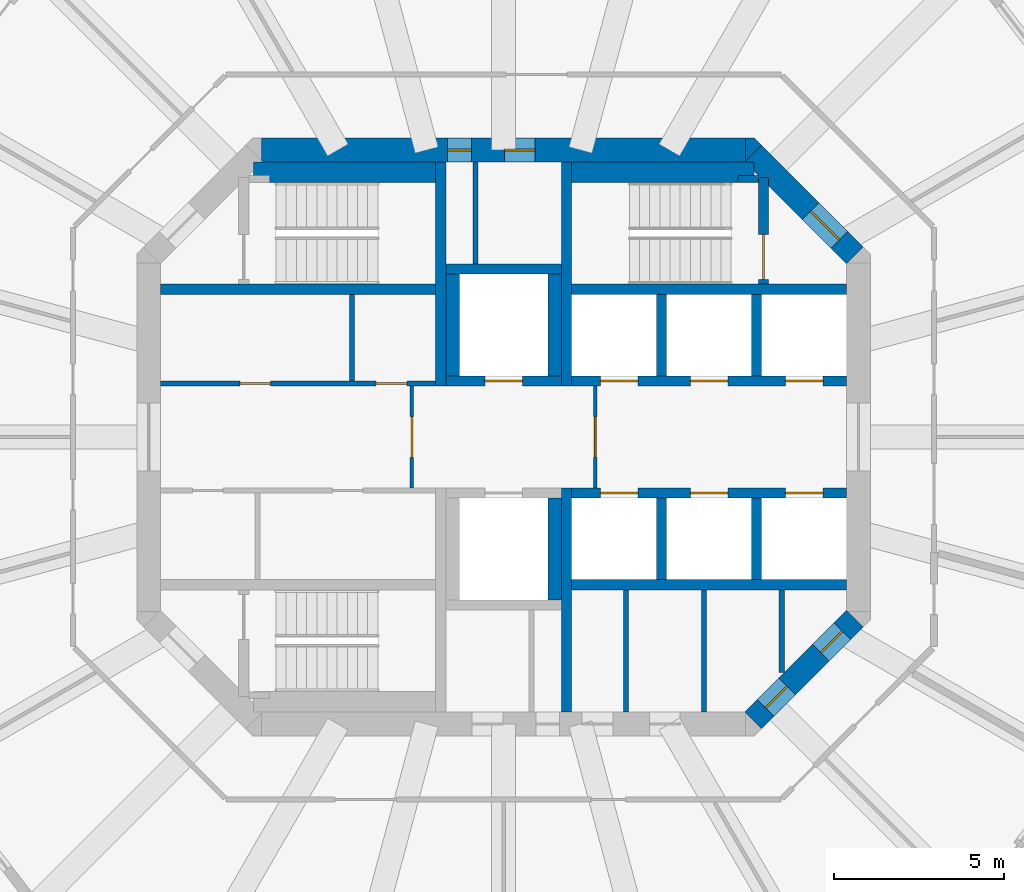
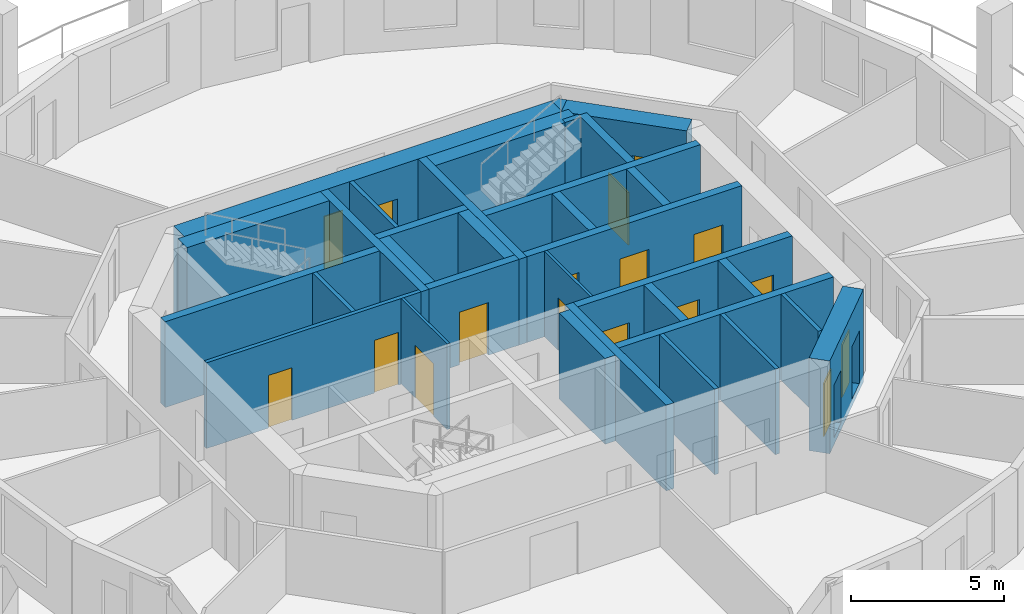
# One storey, part 4 of 8: 33 walls, 17 doors, 17 openings.
"""IFC4 building model written with IfcOpenShell, lengths in metres."""

from ifc_helpers import new_model, si_unit, direction, frame, frame_2d, origin, place, context, subcontext, project, spatial, polyline, rectangle, outline, extrude, material, layer, layer_set, type_object, element, fill, save


model = new_model("IFC4")

# Units and contexts
model_context = context("Model", 3, precision=1e-05, world=origin(), true_north=direction((0.0, 1.0)))
body_context = subcontext(model_context, "Body", "Model", "MODEL_VIEW")
ifc_project = project(units=[si_unit("LENGTHUNIT", "METRE"), si_unit("AREAUNIT", "SQUARE_METRE"), si_unit("VOLUMEUNIT", "CUBIC_METRE"), si_unit("PLANEANGLEUNIT", "RADIAN"), si_unit("MASSUNIT", "GRAM", prefix="KILO")], contexts=[model_context])

# Site, building, storey
site_placement = place(None, origin())
site = spatial("IfcSite", under=ifc_project, at=site_placement, CompositionType="ELEMENT")
building_placement = place(site_placement, origin())
building = spatial("IfcBuilding", under=site, at=building_placement, Name="Torre Triforio", CompositionType="ELEMENT")
storey_placement = place(building_placement, frame((0.0, 0.0, 196.5)))
storey = spatial("IfcBuildingStorey", under=building, at=storey_placement, Name="L44", CompositionType="ELEMENT", Elevation=196.5)

# Walls
ifc_material_1 = material(Name="Concrete C50", Category="concrete")
ifc_layer_1 = layer(ifc_material_1, 0.300048828125)
ifc_layer_set_1 = layer_set([ifc_layer_1], Name="Concrete C50")
wall_type_1 = type_object("IfcWallType", Name="Core wall 300 mm C50 EI 120", PredefinedType="SHEAR", material=ifc_layer_set_1)
for number, where, z_axis, x_axis, name in (
    (1, (-1.85009765625, 1.5, 0.0), (0.0, 0.0, 1.0), (0.0, 1.0, 0.0), "Core wall"),
    (2, (1.85009765625, 1.5, 0.0), (0.0, 0.0, 1.0), (0.0, 1.0, 0.0), "Core wall"),
    (3, (1.85009765625, -8.10009765625, 0.0), (0.0, 0.0, 1.0), (0.0, 1.0, 0.0), "Core wall"),
):
    element("IfcWall", number, at=place(storey_placement, frame(where, z_axis=z_axis, x_axis=x_axis)), inside=storey, type_object=wall_type_1, Name=name, PredefinedType="SHEAR", context=body_context, shape_type="SweptSolid", body=[
        extrude(rectangle(XDim=6.60009765625, YDim=0.300048828125, at=frame_2d((3.300048828125, 0.0))), origin(), (0.0, 0.0, 1.0), 3.419921875),
    ])

# Wall, openings, doors
ifc_layer_2 = layer(ifc_material_1, 0.699951171875)
ifc_layer_set_2 = layer_set([ifc_layer_2], Name="Concrete C50")
wall_type_2 = type_object("IfcWallType", Name="Core wall 700 mm C50 EI 120", PredefinedType="SHEAR", material=ifc_layer_set_2)
wall_1_placement = place(storey_placement, frame((-7.1298828125, 8.449951171875, -0.280029296875), z_axis=(0.0, 0.0, 1.0), x_axis=(1.0, 0.0, 0.0)))
wall_1 = element("IfcWall", 4, at=wall_1_placement, inside=storey, type_object=wall_type_2, Name="Core wall", PredefinedType="SHEAR", context=body_context, shape_type="SweptSolid", body=[
    extrude(rectangle(XDim=14.259765625, YDim=0.699951171875, at=frame_2d((7.1298828125, 0.0))), origin(), (0.0, 0.0, 1.0), 3.699951171875),
])
opening_1_placement = place(wall_1_placement, frame((5.47998046875, 0.0, 0.280029296875)))
opening_1 = element("IfcOpeningElement", 5, at=opening_1_placement, cuts=wall_1, Name="Opening RISER-N", PredefinedType="OPENING", context=body_context, shape_type="SweptSolid", body=[
    extrude(rectangle(XDim=0.699951171875, YDim=2.10009765625, at=frame_2d((0.35009765625, 1.050048828125))), frame((0.0, 0.35986328125, 0.0), z_axis=(0.0, -1.0, 0.0), x_axis=(1.0, 0.0, 0.0)), (0.0, 0.0, 1.0), 0.719970703125),
])
opening_2_placement = place(wall_1_placement, frame((7.155029296875, 0.0, 0.280029296875)))
opening_2 = element("IfcOpeningElement", 6, at=opening_2_placement, cuts=wall_1, Name="Opening NE-01", PredefinedType="OPENING", context=body_context, shape_type="SweptSolid", body=[
    extrude(rectangle(XDim=0.89990234375, YDim=2.10009765625, at=frame_2d((0.449951171875, 1.050048828125))), frame((0.0, 0.35986328125, 0.0), z_axis=(0.0, -1.0, 0.0), x_axis=(1.0, 0.0, 0.0)), (0.0, 0.0, 1.0), 0.719970703125),
])
ifc_material_2 = material(Name="Hollow metal fire door leaf")
door_type_1 = type_object("IfcDoorType", Name="Riser door 700 x 2100 EI 60", OperationType="NOTDEFINED", PredefinedType="DOOR", material=ifc_material_2)
door_1_placement = place(opening_1_placement, origin())
door_1 = element("IfcDoor", 7, at=door_1_placement, inside=storey, type_object=door_type_1, Name="Core door RISER-N", OperationType="SINGLE_SWING_LEFT", OverallHeight=2.10009765625, OverallWidth=0.699951171875, PredefinedType="DOOR", context=body_context, shape_type="SweptSolid", body=[
    extrude(rectangle(XDim=0.699951171875, YDim=2.10009765625, at=frame_2d((0.35009765625, 1.050048828125))), frame((0.0, 0.02490234375, 0.0), z_axis=(0.0, -1.0, 0.0), x_axis=(1.0, 0.0, 0.0)), (0.0, 0.0, 1.0), 0.050048828125),
])
fill(opening_1, door_1)
door_type_2 = type_object("IfcDoorType", Name="Room door 900 x 2100 EI 60", OperationType="NOTDEFINED", PredefinedType="DOOR", material=ifc_material_2)
door_2_placement = place(opening_2_placement, origin())
door_2 = element("IfcDoor", 8, at=door_2_placement, inside=storey, type_object=door_type_2, Name="Core door NE-01", OperationType="SINGLE_SWING_RIGHT", OverallHeight=2.10009765625, OverallWidth=0.89990234375, PredefinedType="DOOR", context=body_context, shape_type="SweptSolid", body=[
    extrude(rectangle(XDim=0.89990234375, YDim=2.10009765625, at=frame_2d((0.449951171875, 1.050048828125))), frame((0.0, 0.02490234375, 0.0), z_axis=(0.0, -1.0, 0.0), x_axis=(1.0, 0.0, 0.0)), (0.0, 0.0, 1.0), 0.050048828125),
])
fill(opening_2, door_2)

# Wall, opening, door
wall_2_placement = place(storey_placement, frame((7.347412109375, 8.347412109375, -0.280029296875), z_axis=(0.0, 0.0, 1.0), x_axis=(0.707106781187, -0.707106781187, 0.0)))
wall_2 = element("IfcWall", 9, at=wall_2_placement, inside=storey, type_object=wall_type_2, Name="Core wall", PredefinedType="SHEAR", context=body_context, shape_type="SweptSolid", body=[
    extrude(rectangle(XDim=4.24267578125, YDim=0.699951171875, at=frame_2d((2.121337890625, 0.0))), origin(), (0.0, 0.0, 1.0), 3.699951171875),
])
opening_3_placement = place(wall_2_placement, frame((2.392578125, 0.0, 0.280029296875)))
opening_3 = element("IfcOpeningElement", 10, at=opening_3_placement, cuts=wall_2, Name="Opening ST2-EXIT", PredefinedType="OPENING", context=body_context, shape_type="SweptSolid", body=[
    extrude(rectangle(XDim=1.199951171875, YDim=2.10009765625, at=frame_2d((0.60009765625, 1.050048828125))), frame((0.0, 0.35986328125, 0.0), z_axis=(0.0, -1.0, 0.0), x_axis=(1.0, 0.0, 0.0)), (0.0, 0.0, 1.0), 0.719970703125),
])
door_type_3 = type_object("IfcDoorType", Name="Stair lobby door 1200 x 2100 EI 60", OperationType="NOTDEFINED", PredefinedType="DOOR", material=ifc_material_2)
door_3_placement = place(opening_3_placement, origin())
door_3 = element("IfcDoor", 11, at=door_3_placement, inside=storey, type_object=door_type_3, Name="Core door ST2-EXIT", OperationType="SINGLE_SWING_RIGHT", OverallHeight=2.10009765625, OverallWidth=1.199951171875, PredefinedType="DOOR", context=body_context, shape_type="SweptSolid", body=[
    extrude(rectangle(XDim=1.199951171875, YDim=2.10009765625, at=frame_2d((0.60009765625, 1.050048828125))), frame((0.0, 0.02490234375, 0.0), z_axis=(0.0, -1.0, 0.0), x_axis=(1.0, 0.0, 0.0)), (0.0, 0.0, 1.0), 0.050048828125),
])
fill(opening_3, door_3)

# Wall, openings, doors
wall_3_placement = place(storey_placement, frame((10.347412109375, -5.347412109375, -0.280029296875), z_axis=(0.0, 0.0, 1.0), x_axis=(-0.707106781187, -0.707106781187, 0.0)))
wall_3 = element("IfcWall", 12, at=wall_3_placement, inside=storey, type_object=wall_type_2, Name="Core wall", PredefinedType="SHEAR", context=body_context, shape_type="SweptSolid", body=[
    extrude(rectangle(XDim=4.24267578125, YDim=0.699951171875, at=frame_2d((2.121337890625, 0.0))), origin(), (0.0, 0.0, 1.0), 3.699951171875),
])
opening_4_placement = place(wall_3_placement, frame((2.82275390625, 0.0, 0.280029296875)))
opening_4 = element("IfcOpeningElement", 13, at=opening_4_placement, cuts=wall_3, Name="Opening SE-03", PredefinedType="OPENING", context=body_context, shape_type="SweptSolid", body=[
    extrude(rectangle(XDim=0.89990234375, YDim=2.10009765625, at=frame_2d((0.449951171875, 1.050048828125))), frame((0.0, 0.35986328125, 0.0), z_axis=(0.0, -1.0, 0.0), x_axis=(1.0, 0.0, 0.0)), (0.0, 0.0, 1.0), 0.719970703125),
])
opening_5_placement = place(wall_3_placement, frame((0.52001953125, 0.0, 0.280029296875)))
opening_5 = element("IfcOpeningElement", 14, at=opening_5_placement, cuts=wall_3, Name="Opening SE-04", PredefinedType="OPENING", context=body_context, shape_type="SweptSolid", body=[
    extrude(rectangle(XDim=0.89990234375, YDim=2.10009765625, at=frame_2d((0.449951171875, 1.050048828125))), frame((0.0, 0.35986328125, 0.0), z_axis=(0.0, -1.0, 0.0), x_axis=(1.0, 0.0, 0.0)), (0.0, 0.0, 1.0), 0.719970703125),
])
door_4_placement = place(opening_4_placement, origin())
door_4 = element("IfcDoor", 15, at=door_4_placement, inside=storey, type_object=door_type_2, Name="Core door SE-03", OperationType="SINGLE_SWING_RIGHT", OverallHeight=2.10009765625, OverallWidth=0.89990234375, PredefinedType="DOOR", context=body_context, shape_type="SweptSolid", body=[
    extrude(rectangle(XDim=0.89990234375, YDim=2.10009765625, at=frame_2d((0.449951171875, 1.050048828125))), frame((0.0, 0.02490234375, 0.0), z_axis=(0.0, -1.0, 0.0), x_axis=(1.0, 0.0, 0.0)), (0.0, 0.0, 1.0), 0.050048828125),
])
fill(opening_4, door_4)
door_5_placement = place(opening_5_placement, origin())
door_5 = element("IfcDoor", 16, at=door_5_placement, inside=storey, type_object=door_type_2, Name="Core door SE-04", OperationType="SINGLE_SWING_LEFT", OverallHeight=2.10009765625, OverallWidth=0.89990234375, PredefinedType="DOOR", context=body_context, shape_type="SweptSolid", body=[
    extrude(rectangle(XDim=0.89990234375, YDim=2.10009765625, at=frame_2d((0.449951171875, 1.050048828125))), frame((0.0, 0.02490234375, 0.0), z_axis=(0.0, -1.0, 0.0), x_axis=(1.0, 0.0, 0.0)), (0.0, 0.0, 1.0), 0.050048828125),
])
fill(opening_5, door_5)

# Wall
wall_4_placement = place(storey_placement, frame((0.0, 0.0, -0.280029296875)))
element("IfcWall", 17, at=wall_4_placement, inside=storey, type_object=wall_type_2, Name="Core wall", PredefinedType="SHEAR", context=body_context, shape_type="SweptSolid", body=[
    extrude(outline(polyline([(7.389892578125, 8.800048828125), (7.594970703125, 8.594970703125), (7.594970703125, 8.594970703125), (7.594970703125, 8.594970703125), (7.1298828125, 8.1298828125), (7.1298828125, 8.800048828125), (7.1298828125, 8.800048828125), (7.389892578125, 8.800048828125)])), origin(), (0.0, 0.0, 1.0), 3.699951171875),
])

# Wall, opening, door
ifc_material_3 = material(Name="Block and board partition")
ifc_layer_3 = layer(ifc_material_3, 0.10009765625)
ifc_layer_set_3 = layer_set([ifc_layer_3], Name="Block and board partition")
wall_type_3 = type_object("IfcWallType", Name="Partition 100 mm EI 120", PredefinedType="PARTITIONING", material=ifc_layer_set_3)
wall_5_placement = place(storey_placement, frame((-2.699951171875, -1.5, 0.0), z_axis=(0.0, 0.0, 1.0), x_axis=(0.0, 1.0, 0.0)))
wall_5 = element("IfcWall", 18, at=wall_5_placement, inside=storey, type_object=wall_type_3, Name="Partition", PredefinedType="PARTITIONING", context=body_context, shape_type="SweptSolid", body=[
    extrude(rectangle(XDim=3.0, YDim=0.10009765625, at=frame_2d((1.5, 0.0))), origin(), (0.0, 0.0, 1.0), 3.419921875),
])
opening_6_placement = place(wall_5_placement, frame((0.89990234375, 0.0, 0.0)))
opening_6 = element("IfcOpeningElement", 19, at=opening_6_placement, cuts=wall_5, Name="Opening FF-W", PredefinedType="OPENING", context=body_context, shape_type="SweptSolid", body=[
    extrude(rectangle(XDim=1.199951171875, YDim=2.10009765625, at=frame_2d((0.60009765625, 1.050048828125))), frame((0.0, 0.06005859375, 0.0), z_axis=(0.0, -1.0, 0.0), x_axis=(1.0, 0.0, 0.0)), (0.0, 0.0, 1.0), 0.1201171875),
])
door_type_4 = type_object("IfcDoorType", Name="Fire-fighting lobby door 1200 x 2100 EI 60", OperationType="NOTDEFINED", PredefinedType="DOOR", material=ifc_material_2)
door_6_placement = place(opening_6_placement, origin())
door_6 = element("IfcDoor", 20, at=door_6_placement, inside=storey, type_object=door_type_4, Name="Core door FF-W", OperationType="SINGLE_SWING_LEFT", OverallHeight=2.10009765625, OverallWidth=1.199951171875, PredefinedType="DOOR", context=body_context, shape_type="SweptSolid", body=[
    extrude(rectangle(XDim=1.199951171875, YDim=2.10009765625, at=frame_2d((0.60009765625, 1.050048828125))), frame((0.0, 0.02490234375, 0.0), z_axis=(0.0, -1.0, 0.0), x_axis=(1.0, 0.0, 0.0)), (0.0, 0.0, 1.0), 0.050048828125),
])
fill(opening_6, door_6)

wall_6_placement = place(storey_placement, frame((2.699951171875, -1.5, 0.0), z_axis=(0.0, 0.0, 1.0), x_axis=(0.0, 1.0, 0.0)))
wall_6 = element("IfcWall", 21, at=wall_6_placement, inside=storey, type_object=wall_type_3, Name="Partition", PredefinedType="PARTITIONING", context=body_context, shape_type="SweptSolid", body=[
    extrude(rectangle(XDim=3.0, YDim=0.10009765625, at=frame_2d((1.5, 0.0))), origin(), (0.0, 0.0, 1.0), 3.419921875),
])
opening_7_placement = place(wall_6_placement, frame((0.89990234375, 0.0, 0.0)))
opening_7 = element("IfcOpeningElement", 22, at=opening_7_placement, cuts=wall_6, Name="Opening FF-E", PredefinedType="OPENING", context=body_context, shape_type="SweptSolid", body=[
    extrude(rectangle(XDim=1.199951171875, YDim=2.10009765625, at=frame_2d((0.60009765625, 1.050048828125))), frame((0.0, 0.06005859375, 0.0), z_axis=(0.0, -1.0, 0.0), x_axis=(1.0, 0.0, 0.0)), (0.0, 0.0, 1.0), 0.1201171875),
])
door_7_placement = place(opening_7_placement, origin())
door_7 = element("IfcDoor", 23, at=door_7_placement, inside=storey, type_object=door_type_4, Name="Core door FF-E", OperationType="SINGLE_SWING_LEFT", OverallHeight=2.10009765625, OverallWidth=1.199951171875, PredefinedType="DOOR", context=body_context, shape_type="SweptSolid", body=[
    extrude(rectangle(XDim=1.199951171875, YDim=2.10009765625, at=frame_2d((0.60009765625, 1.050048828125))), frame((0.0, 0.02490234375, 0.0), z_axis=(0.0, -1.0, 0.0), x_axis=(1.0, 0.0, 0.0)), (0.0, 0.0, 1.0), 0.050048828125),
])
fill(opening_7, door_7)

# Walls
ifc_layer_4 = layer(ifc_material_3, 0.14990234375)
ifc_layer_set_4 = layer_set([ifc_layer_4], Name="Block and board partition")
wall_type_4 = type_object("IfcWallType", Name="Partition 150 mm", PredefinedType="PARTITIONING", material=ifc_layer_set_4)
for number, where, z_axis, x_axis, name in (
    (24, (3.60498046875, -8.10009765625, 0.0), (0.0, 0.0, 1.0), (0.0, 1.0, 0.0), "Partition"),
    (25, (5.89697265625, -8.10009765625, 0.0), (0.0, 0.0, 1.0), (0.0, 1.0, 0.0), "Partition"),
):
    element("IfcWall", number, at=place(storey_placement, frame(where, z_axis=z_axis, x_axis=x_axis)), inside=storey, type_object=wall_type_4, Name=name, PredefinedType="PARTITIONING", context=body_context, shape_type="SweptSolid", body=[
        extrude(rectangle(XDim=3.60009765625, YDim=0.14990234375, at=frame_2d((1.800048828125, 0.0))), origin(), (0.0, 0.0, 1.0), 3.419921875),
    ])
wall_7_placement = place(storey_placement, frame((8.18896484375, -6.93603515625, 0.0), z_axis=(0.0, 0.0, 1.0), x_axis=(0.0, 1.0, 0.0)))
element("IfcWall", 26, at=wall_7_placement, inside=storey, type_object=wall_type_4, Name="Partition", PredefinedType="PARTITIONING", context=body_context, shape_type="SweptSolid", body=[
    extrude(rectangle(XDim=2.43603515625, YDim=0.14990234375, at=frame_2d((1.218017578125, 0.0))), origin(), (0.0, 0.0, 1.0), 3.419921875),
])
wall_8_placement = place(storey_placement, frame((-4.4599609375, 1.64990234375, 0.0), z_axis=(0.0, 0.0, 1.0), x_axis=(0.0, 1.0, 0.0)))
element("IfcWall", 27, at=wall_8_placement, inside=storey, type_object=wall_type_4, Name="Partition", PredefinedType="PARTITIONING", context=body_context, shape_type="SweptSolid", body=[
    extrude(rectangle(XDim=2.550048828125, YDim=0.14990234375, at=frame_2d((1.27490234375, 0.0))), origin(), (0.0, 0.0, 1.0), 3.419921875),
])
ifc_layer_5 = layer(ifc_material_3, 0.14990234375)
ifc_layer_set_5 = layer_set([ifc_layer_5], Name="Block and board partition")
wall_type_5 = type_object("IfcWallType", Name="Partition 150 mm EI 120", PredefinedType="PARTITIONING", material=ifc_layer_set_5)
wall_9_placement = place(storey_placement, frame((-0.824951171875, 5.10009765625, 0.0), z_axis=(0.0, 0.0, 1.0), x_axis=(0.0, 1.0, 0.0)))
element("IfcWall", 28, at=wall_9_placement, inside=storey, type_object=wall_type_5, Name="Partition", PredefinedType="PARTITIONING", context=body_context, shape_type="SweptSolid", body=[
    extrude(rectangle(XDim=3.0, YDim=0.14990234375, at=frame_2d((1.5, 0.0))), origin(), (0.0, 0.0, 1.0), 3.419921875),
])

# Wall, openings, doors
wall_10_placement = place(storey_placement, frame((-10.10009765625, 1.574951171875, 0.0), z_axis=(0.0, 0.0, 1.0), x_axis=(1.0, 0.0, 0.0)))
wall_10 = element("IfcWall", 29, at=wall_10_placement, inside=storey, type_object=wall_type_5, Name="Partition", PredefinedType="PARTITIONING", context=body_context, shape_type="SweptSolid", body=[
    extrude(rectangle(XDim=8.10009765625, YDim=0.14990234375, at=frame_2d((4.050048828125, 0.0))), origin(), (0.0, 0.0, 1.0), 3.419921875),
])
opening_8_placement = place(wall_10_placement, frame((2.33251953125, 0.0, 0.0)))
opening_8 = element("IfcOpeningElement", 30, at=opening_8_placement, cuts=wall_10, Name="Opening FN-01", PredefinedType="OPENING", context=body_context, shape_type="SweptSolid", body=[
    extrude(rectangle(XDim=0.89990234375, YDim=2.10009765625, at=frame_2d((0.449951171875, 1.050048828125))), frame((0.0, 0.0849609375, 0.0), z_axis=(0.0, -1.0, 0.0), x_axis=(1.0, 0.0, 0.0)), (0.0, 0.0, 1.0), 0.169921875),
])
opening_9_placement = place(wall_10_placement, frame((6.35009765625, 0.0, 0.0)))
opening_9 = element("IfcOpeningElement", 31, at=opening_9_placement, cuts=wall_10, Name="Opening FN-02A", PredefinedType="OPENING", context=body_context, shape_type="SweptSolid", body=[
    extrude(rectangle(XDim=0.89990234375, YDim=2.10009765625, at=frame_2d((0.449951171875, 1.050048828125))), frame((0.0, 0.0849609375, 0.0), z_axis=(0.0, -1.0, 0.0), x_axis=(1.0, 0.0, 0.0)), (0.0, 0.0, 1.0), 0.169921875),
])
door_type_5 = type_object("IfcDoorType", Name="Plant room door 900 x 2100 EI 60", OperationType="NOTDEFINED", PredefinedType="DOOR", material=ifc_material_2)
door_8_placement = place(opening_9_placement, origin())
door_8 = element("IfcDoor", 32, at=door_8_placement, inside=storey, type_object=door_type_5, Name="Core door FN-02", OperationType="SINGLE_SWING_RIGHT", OverallHeight=2.10009765625, OverallWidth=0.89990234375, PredefinedType="DOOR", context=body_context, shape_type="SweptSolid", body=[
    extrude(rectangle(XDim=0.89990234375, YDim=2.10009765625, at=frame_2d((0.449951171875, 1.050048828125))), frame((0.0, 0.02490234375, 0.0), z_axis=(0.0, -1.0, 0.0), x_axis=(1.0, 0.0, 0.0)), (0.0, 0.0, 1.0), 0.050048828125),
])
fill(opening_9, door_8)
door_9_placement = place(opening_8_placement, origin())
door_9 = element("IfcDoor", 33, at=door_9_placement, inside=storey, type_object=door_type_2, Name="Core door FN-01", OperationType="SINGLE_SWING_RIGHT", OverallHeight=2.10009765625, OverallWidth=0.89990234375, PredefinedType="DOOR", context=body_context, shape_type="SweptSolid", body=[
    extrude(rectangle(XDim=0.89990234375, YDim=2.10009765625, at=frame_2d((0.449951171875, 1.050048828125))), frame((0.0, 0.02490234375, 0.0), z_axis=(0.0, -1.0, 0.0), x_axis=(1.0, 0.0, 0.0)), (0.0, 0.0, 1.0), 0.050048828125),
])
fill(opening_8, door_9)

# Walls
ifc_layer_6 = layer(ifc_material_1, 0.300048828125)
ifc_layer_set_6 = layer_set([ifc_layer_6], Name="Concrete C50")
wall_type_6 = type_object("IfcWallType", Name="Shaft wall 300 mm C50 EI 120", PredefinedType="SOLIDWALL", material=ifc_layer_set_6)
for number, where, z_axis, x_axis, name in (
    (34, (-10.10009765625, 4.35009765625, 0.0), (0.0, 0.0, 1.0), (1.0, 0.0, 0.0), "Shaft wall"),
    (35, (2.0, 4.35009765625, 0.0), (0.0, 0.0, 1.0), (1.0, 0.0, 0.0), "Shaft wall"),
    (36, (2.0, -4.35009765625, 0.0), (0.0, 0.0, 1.0), (1.0, 0.0, 0.0), "Shaft wall"),
):
    element("IfcWall", number, at=place(storey_placement, frame(where, z_axis=z_axis, x_axis=x_axis)), inside=storey, type_object=wall_type_6, Name=name, PredefinedType="SOLIDWALL", context=body_context, shape_type="SweptSolid", body=[
        extrude(rectangle(XDim=8.10009765625, YDim=0.300048828125, at=frame_2d((4.050048828125, 0.0))), origin(), (0.0, 0.0, 1.0), 3.419921875),
    ])

# Wall, openings, doors
wall_11_placement = place(storey_placement, frame((2.0, 1.64990234375, 0.0), z_axis=(0.0, 0.0, 1.0), x_axis=(1.0, 0.0, 0.0)))
wall_11 = element("IfcWall", 37, at=wall_11_placement, inside=storey, type_object=wall_type_6, Name="Shaft wall", PredefinedType="SOLIDWALL", context=body_context, shape_type="SweptSolid", body=[
    extrude(rectangle(XDim=8.10009765625, YDim=0.300048828125, at=frame_2d((4.050048828125, 0.0))), origin(), (0.0, 0.0, 1.0), 3.419921875),
])
opening_10_placement = place(wall_11_placement, frame((0.85009765625, 0.0, 0.0)))
opening_10 = element("IfcOpeningElement", 38, at=opening_10_placement, cuts=wall_11, Name="Opening LD", PredefinedType="OPENING", context=body_context, shape_type="SweptSolid", body=[
    extrude(rectangle(XDim=1.10009765625, YDim=2.10009765625, at=frame_2d((0.550048828125, 1.050048828125))), frame((0.0, 0.159912109375, 0.0), z_axis=(0.0, -1.0, 0.0), x_axis=(1.0, 0.0, 0.0)), (0.0, 0.0, 1.0), 0.320068359375),
])
opening_11_placement = place(wall_11_placement, frame((3.5, 0.0, 0.0)))
opening_11 = element("IfcOpeningElement", 39, at=opening_11_placement, cuts=wall_11, Name="Opening LD", PredefinedType="OPENING", context=body_context, shape_type="SweptSolid", body=[
    extrude(rectangle(XDim=1.10009765625, YDim=2.10009765625, at=frame_2d((0.550048828125, 1.050048828125))), frame((0.0, 0.159912109375, 0.0), z_axis=(0.0, -1.0, 0.0), x_axis=(1.0, 0.0, 0.0)), (0.0, 0.0, 1.0), 0.320068359375),
])
opening_12_placement = place(wall_11_placement, frame((6.300048828125, 0.0, 0.0)))
opening_12 = element("IfcOpeningElement", 40, at=opening_12_placement, cuts=wall_11, Name="Opening LD", PredefinedType="OPENING", context=body_context, shape_type="SweptSolid", body=[
    extrude(rectangle(XDim=1.10009765625, YDim=2.10009765625, at=frame_2d((0.550048828125, 1.050048828125))), frame((0.0, 0.159912109375, 0.0), z_axis=(0.0, -1.0, 0.0), x_axis=(1.0, 0.0, 0.0)), (0.0, 0.0, 1.0), 0.320068359375),
])
door_type_6 = type_object("IfcDoorType", Name="Landing door 1100 x 2100 EI 60", OperationType="DOUBLE_DOOR_SLIDING", PredefinedType="DOOR", material=ifc_material_2)
door_10_placement = place(opening_10_placement, origin())
door_10 = element("IfcDoor", 41, at=door_10_placement, inside=storey, type_object=door_type_6, Name="Landing door HR1", OperationType="DOUBLE_DOOR_SLIDING", OverallHeight=2.10009765625, OverallWidth=1.10009765625, PredefinedType="DOOR", context=body_context, shape_type="SweptSolid", body=[
    extrude(rectangle(XDim=1.10009765625, YDim=2.10009765625, at=frame_2d((0.550048828125, 1.050048828125))), frame((0.0, 0.02490234375, 0.0), z_axis=(0.0, -1.0, 0.0), x_axis=(1.0, 0.0, 0.0)), (0.0, 0.0, 1.0), 0.050048828125),
])
fill(opening_10, door_10)
door_11_placement = place(opening_11_placement, origin())
door_11 = element("IfcDoor", 42, at=door_11_placement, inside=storey, type_object=door_type_6, Name="Landing door HR2", OperationType="DOUBLE_DOOR_SLIDING", OverallHeight=2.10009765625, OverallWidth=1.10009765625, PredefinedType="DOOR", context=body_context, shape_type="SweptSolid", body=[
    extrude(rectangle(XDim=1.10009765625, YDim=2.10009765625, at=frame_2d((0.550048828125, 1.050048828125))), frame((0.0, 0.02490234375, 0.0), z_axis=(0.0, -1.0, 0.0), x_axis=(1.0, 0.0, 0.0)), (0.0, 0.0, 1.0), 0.050048828125),
])
fill(opening_11, door_11)
door_12_placement = place(opening_12_placement, origin())
door_12 = element("IfcDoor", 43, at=door_12_placement, inside=storey, type_object=door_type_6, Name="Landing door HR3", OperationType="DOUBLE_DOOR_SLIDING", OverallHeight=2.10009765625, OverallWidth=1.10009765625, PredefinedType="DOOR", context=body_context, shape_type="SweptSolid", body=[
    extrude(rectangle(XDim=1.10009765625, YDim=2.10009765625, at=frame_2d((0.550048828125, 1.050048828125))), frame((0.0, 0.02490234375, 0.0), z_axis=(0.0, -1.0, 0.0), x_axis=(1.0, 0.0, 0.0)), (0.0, 0.0, 1.0), 0.050048828125),
])
fill(opening_12, door_12)

wall_12_placement = place(storey_placement, frame((2.0, -1.64990234375, 0.0), z_axis=(0.0, 0.0, 1.0), x_axis=(1.0, 0.0, 0.0)))
wall_12 = element("IfcWall", 44, at=wall_12_placement, inside=storey, type_object=wall_type_6, Name="Shaft wall", PredefinedType="SOLIDWALL", context=body_context, shape_type="SweptSolid", body=[
    extrude(rectangle(XDim=8.10009765625, YDim=0.300048828125, at=frame_2d((4.050048828125, 0.0))), origin(), (0.0, 0.0, 1.0), 3.419921875),
])
opening_13_placement = place(wall_12_placement, frame((0.85009765625, 0.0, 0.0)))
opening_13 = element("IfcOpeningElement", 45, at=opening_13_placement, cuts=wall_12, Name="Opening LD", PredefinedType="OPENING", context=body_context, shape_type="SweptSolid", body=[
    extrude(rectangle(XDim=1.10009765625, YDim=2.10009765625, at=frame_2d((0.550048828125, 1.050048828125))), frame((0.0, 0.159912109375, 0.0), z_axis=(0.0, -1.0, 0.0), x_axis=(1.0, 0.0, 0.0)), (0.0, 0.0, 1.0), 0.320068359375),
])
opening_14_placement = place(wall_12_placement, frame((3.5, 0.0, 0.0)))
opening_14 = element("IfcOpeningElement", 46, at=opening_14_placement, cuts=wall_12, Name="Opening LD", PredefinedType="OPENING", context=body_context, shape_type="SweptSolid", body=[
    extrude(rectangle(XDim=1.10009765625, YDim=2.10009765625, at=frame_2d((0.550048828125, 1.050048828125))), frame((0.0, 0.159912109375, 0.0), z_axis=(0.0, -1.0, 0.0), x_axis=(1.0, 0.0, 0.0)), (0.0, 0.0, 1.0), 0.320068359375),
])
opening_15_placement = place(wall_12_placement, frame((6.300048828125, 0.0, 0.0)))
opening_15 = element("IfcOpeningElement", 47, at=opening_15_placement, cuts=wall_12, Name="Opening LD", PredefinedType="OPENING", context=body_context, shape_type="SweptSolid", body=[
    extrude(rectangle(XDim=1.10009765625, YDim=2.10009765625, at=frame_2d((0.550048828125, 1.050048828125))), frame((0.0, 0.159912109375, 0.0), z_axis=(0.0, -1.0, 0.0), x_axis=(1.0, 0.0, 0.0)), (0.0, 0.0, 1.0), 0.320068359375),
])
door_13_placement = place(opening_13_placement, origin())
door_13 = element("IfcDoor", 48, at=door_13_placement, inside=storey, type_object=door_type_6, Name="Landing door HR4", OperationType="DOUBLE_DOOR_SLIDING", OverallHeight=2.10009765625, OverallWidth=1.10009765625, PredefinedType="DOOR", context=body_context, shape_type="SweptSolid", body=[
    extrude(rectangle(XDim=1.10009765625, YDim=2.10009765625, at=frame_2d((0.550048828125, 1.050048828125))), frame((0.0, 0.02490234375, 0.0), z_axis=(0.0, -1.0, 0.0), x_axis=(1.0, 0.0, 0.0)), (0.0, 0.0, 1.0), 0.050048828125),
])
fill(opening_13, door_13)
door_14_placement = place(opening_14_placement, origin())
door_14 = element("IfcDoor", 49, at=door_14_placement, inside=storey, type_object=door_type_6, Name="Landing door HR5", OperationType="DOUBLE_DOOR_SLIDING", OverallHeight=2.10009765625, OverallWidth=1.10009765625, PredefinedType="DOOR", context=body_context, shape_type="SweptSolid", body=[
    extrude(rectangle(XDim=1.10009765625, YDim=2.10009765625, at=frame_2d((0.550048828125, 1.050048828125))), frame((0.0, 0.02490234375, 0.0), z_axis=(0.0, -1.0, 0.0), x_axis=(1.0, 0.0, 0.0)), (0.0, 0.0, 1.0), 0.050048828125),
])
fill(opening_14, door_14)
door_15_placement = place(opening_15_placement, origin())
door_15 = element("IfcDoor", 50, at=door_15_placement, inside=storey, type_object=door_type_6, Name="Landing door HR6", OperationType="DOUBLE_DOOR_SLIDING", OverallHeight=2.10009765625, OverallWidth=1.10009765625, PredefinedType="DOOR", context=body_context, shape_type="SweptSolid", body=[
    extrude(rectangle(XDim=1.10009765625, YDim=2.10009765625, at=frame_2d((0.550048828125, 1.050048828125))), frame((0.0, 0.02490234375, 0.0), z_axis=(0.0, -1.0, 0.0), x_axis=(1.0, 0.0, 0.0)), (0.0, 0.0, 1.0), 0.050048828125),
])
fill(opening_15, door_15)

# Walls
for number, where, z_axis, x_axis, name in (
    (51, (4.64990234375, 1.800048828125, 0.0), (0.0, 0.0, 1.0), (0.0, 1.0, 0.0), "Shaft wall"),
    (52, (4.64990234375, -4.199951171875, 0.0), (0.0, 0.0, 1.0), (0.0, 1.0, 0.0), "Shaft wall"),
    (53, (7.449951171875, 1.800048828125, 0.0), (0.0, 0.0, 1.0), (0.0, 1.0, 0.0), "Shaft wall"),
    (54, (7.449951171875, -4.199951171875, 0.0), (0.0, 0.0, 1.0), (0.0, 1.0, 0.0), "Shaft wall"),
):
    element("IfcWall", number, at=place(storey_placement, frame(where, z_axis=z_axis, x_axis=x_axis)), inside=storey, type_object=wall_type_6, Name=name, PredefinedType="SOLIDWALL", context=body_context, shape_type="SweptSolid", body=[
        extrude(rectangle(XDim=2.39990234375, YDim=0.300048828125, at=frame_2d((1.199951171875, 0.0))), origin(), (0.0, 0.0, 1.0), 3.419921875),
    ])

# Wall, opening, door
wall_13_placement = place(storey_placement, frame((-1.699951171875, 1.64990234375, 0.0), z_axis=(0.0, 0.0, 1.0), x_axis=(1.0, 0.0, 0.0)))
wall_13 = element("IfcWall", 55, at=wall_13_placement, inside=storey, type_object=wall_type_6, Name="Shaft wall", PredefinedType="SOLIDWALL", context=body_context, shape_type="SweptSolid", body=[
    extrude(rectangle(XDim=3.39990234375, YDim=0.300048828125, at=frame_2d((1.699951171875, 0.0))), origin(), (0.0, 0.0, 1.0), 3.419921875),
])
opening_16_placement = place(wall_13_placement, frame((1.14990234375, 0.0, 0.0)))
opening_16 = element("IfcOpeningElement", 56, at=opening_16_placement, cuts=wall_13, Name="Opening LD", PredefinedType="OPENING", context=body_context, shape_type="SweptSolid", body=[
    extrude(rectangle(XDim=1.10009765625, YDim=2.10009765625, at=frame_2d((0.550048828125, 1.050048828125))), frame((0.0, 0.159912109375, 0.0), z_axis=(0.0, -1.0, 0.0), x_axis=(1.0, 0.0, 0.0)), (0.0, 0.0, 1.0), 0.320068359375),
])
door_16_placement = place(opening_16_placement, origin())
door_16 = element("IfcDoor", 57, at=door_16_placement, inside=storey, type_object=door_type_6, Name="Landing door FFL1", OperationType="DOUBLE_DOOR_SLIDING", OverallHeight=2.10009765625, OverallWidth=1.10009765625, PredefinedType="DOOR", context=body_context, shape_type="SweptSolid", body=[
    extrude(rectangle(XDim=1.10009765625, YDim=2.10009765625, at=frame_2d((0.550048828125, 1.050048828125))), frame((0.0, 0.02490234375, 0.0), z_axis=(0.0, -1.0, 0.0), x_axis=(1.0, 0.0, 0.0)), (0.0, 0.0, 1.0), 0.050048828125),
])
fill(opening_16, door_16)

# Walls
wall_14_placement = place(storey_placement, frame((-1.699951171875, 4.949951171875, 0.0), z_axis=(0.0, 0.0, 1.0), x_axis=(1.0, 0.0, 0.0)))
element("IfcWall", 58, at=wall_14_placement, inside=storey, type_object=wall_type_6, Name="Shaft wall", PredefinedType="SOLIDWALL", context=body_context, shape_type="SweptSolid", body=[
    extrude(rectangle(XDim=3.39990234375, YDim=0.300048828125, at=frame_2d((1.699951171875, 0.0))), origin(), (0.0, 0.0, 1.0), 3.419921875),
])
ifc_layer_7 = layer(ifc_material_1, 0.39990234375)
ifc_layer_set_7 = layer_set([ifc_layer_7], Name="Concrete C50")
wall_type_7 = type_object("IfcWallType", Name="Shaft wall 400 mm C50 EI 120", PredefinedType="SOLIDWALL", material=ifc_layer_set_7)
for number, where, z_axis, x_axis, name in (
    (59, (-1.5, 1.800048828125, 0.0), (0.0, 0.0, 1.0), (0.0, 1.0, 0.0), "Shaft wall"),
    (60, (1.5, 1.800048828125, 0.0), (0.0, 0.0, 1.0), (0.0, 1.0, 0.0), "Shaft wall"),
    (61, (1.5, -4.800048828125, 0.0), (0.0, 0.0, 1.0), (0.0, 1.0, 0.0), "Shaft wall"),
):
    element("IfcWall", number, at=place(storey_placement, frame(where, z_axis=z_axis, x_axis=x_axis)), inside=storey, type_object=wall_type_7, Name=name, PredefinedType="SOLIDWALL", context=body_context, shape_type="SweptSolid", body=[
        extrude(rectangle(XDim=3.0, YDim=0.39990234375, at=frame_2d((1.5, 0.0))), origin(), (0.0, 0.0, 1.0), 3.419921875),
    ])
ifc_layer_8 = layer(ifc_material_1, 0.199951171875)
ifc_layer_set_8 = layer_set([ifc_layer_8], Name="Concrete C50")
wall_type_8 = type_object("IfcWallType", Name="Stair wall 200 mm C50 EI 120", PredefinedType="SHEAR", material=ifc_layer_set_8)
wall_15_placement = place(storey_placement, frame((6.89990234375, 7.60009765625, 0.0), z_axis=(0.0, 0.0, 1.0), x_axis=(1.0, 0.0, 0.0)))
element("IfcWall", 62, at=wall_15_placement, inside=storey, type_object=wall_type_8, Name="Stair wall", PredefinedType="SHEAR", context=body_context, shape_type="SweptSolid", body=[
    extrude(rectangle(XDim=0.60009765625, YDim=0.199951171875, at=frame_2d((0.300048828125, 0.0))), origin(), (0.0, 0.0, 1.0), 3.419921875),
])

# Wall, opening, door
ifc_layer_9 = layer(ifc_material_1, 0.300048828125)
ifc_layer_set_9 = layer_set([ifc_layer_9], Name="Concrete C50")
wall_type_9 = type_object("IfcWallType", Name="Stair wall 300 mm C50 EI 120", PredefinedType="SHEAR", material=ifc_layer_set_9)
wall_16_placement = place(storey_placement, frame((7.64990234375, 4.5, 0.0), z_axis=(0.0, 0.0, 1.0), x_axis=(0.0, 1.0, 0.0)))
wall_16 = element("IfcWall", 63, at=wall_16_placement, inside=storey, type_object=wall_type_9, Name="Stair wall", PredefinedType="SHEAR", context=body_context, shape_type="SweptSolid", body=[
    extrude(rectangle(XDim=3.139892578125, YDim=0.300048828125, at=frame_2d((1.56982421875, 0.0))), origin(), (0.0, 0.0, 1.0), 3.419921875),
])
opening_17_placement = place(wall_16_placement, frame((0.139892578125, 0.0, 0.0)))
opening_17 = element("IfcOpeningElement", 64, at=opening_17_placement, cuts=wall_16, Name="Opening ST2-STA", PredefinedType="OPENING", context=body_context, shape_type="SweptSolid", body=[
    extrude(rectangle(XDim=1.320068359375, YDim=2.10009765625, at=frame_2d((0.66015625, 1.050048828125))), frame((0.0, 0.159912109375, 0.0), z_axis=(0.0, -1.0, 0.0), x_axis=(1.0, 0.0, 0.0)), (0.0, 0.0, 1.0), 0.320068359375),
])
door_type_7 = type_object("IfcDoorType", Name="Stair door 1320 x 2100 EI 90", OperationType="DOUBLE_DOOR_SINGLE_SWING", PredefinedType="DOOR", material=ifc_material_2)
door_17_placement = place(opening_17_placement, origin())
door_17 = element("IfcDoor", 65, at=door_17_placement, inside=storey, type_object=door_type_7, Name="Core door ST2-ST", OperationType="DOUBLE_DOOR_SINGLE_SWING", OverallHeight=2.10009765625, OverallWidth=1.320068359375, PredefinedType="DOOR", context=body_context, shape_type="SweptSolid", body=[
    extrude(rectangle(XDim=1.320068359375, YDim=2.10009765625, at=frame_2d((0.66015625, 1.050048828125))), frame((0.0, 0.02490234375, 0.0), z_axis=(0.0, -1.0, 0.0), x_axis=(1.0, 0.0, 0.0)), (0.0, 0.0, 1.0), 0.050048828125),
])
fill(opening_17, door_17)

# Walls
ifc_layer_10 = layer(ifc_material_1, 0.60009765625)
ifc_layer_set_10 = layer_set([ifc_layer_10], Name="Concrete C50")
wall_type_10 = type_object("IfcWallType", Name="Stair wall 600 mm C50 EI 120", PredefinedType="SHEAR", material=ifc_layer_set_10)
for number, where, z_axis, x_axis, name in (
    (66, (-7.3701171875, 7.800048828125, 0.0), (0.0, 0.0, 1.0), (1.0, 0.0, 0.0), "Stair wall"),
    (67, (2.0, 7.800048828125, 0.0), (0.0, 0.0, 1.0), (1.0, 0.0, 0.0), "Stair wall"),
):
    element("IfcWall", number, at=place(storey_placement, frame(where, z_axis=z_axis, x_axis=x_axis)), inside=storey, type_object=wall_type_10, Name=name, PredefinedType="SHEAR", context=body_context, shape_type="SweptSolid", body=[
        extrude(rectangle(XDim=5.3701171875, YDim=0.60009765625, at=frame_2d((2.68505859375, 0.0))), origin(), (0.0, 0.0, 1.0), 3.419921875),
    ])

save(model, "model.ifc")
